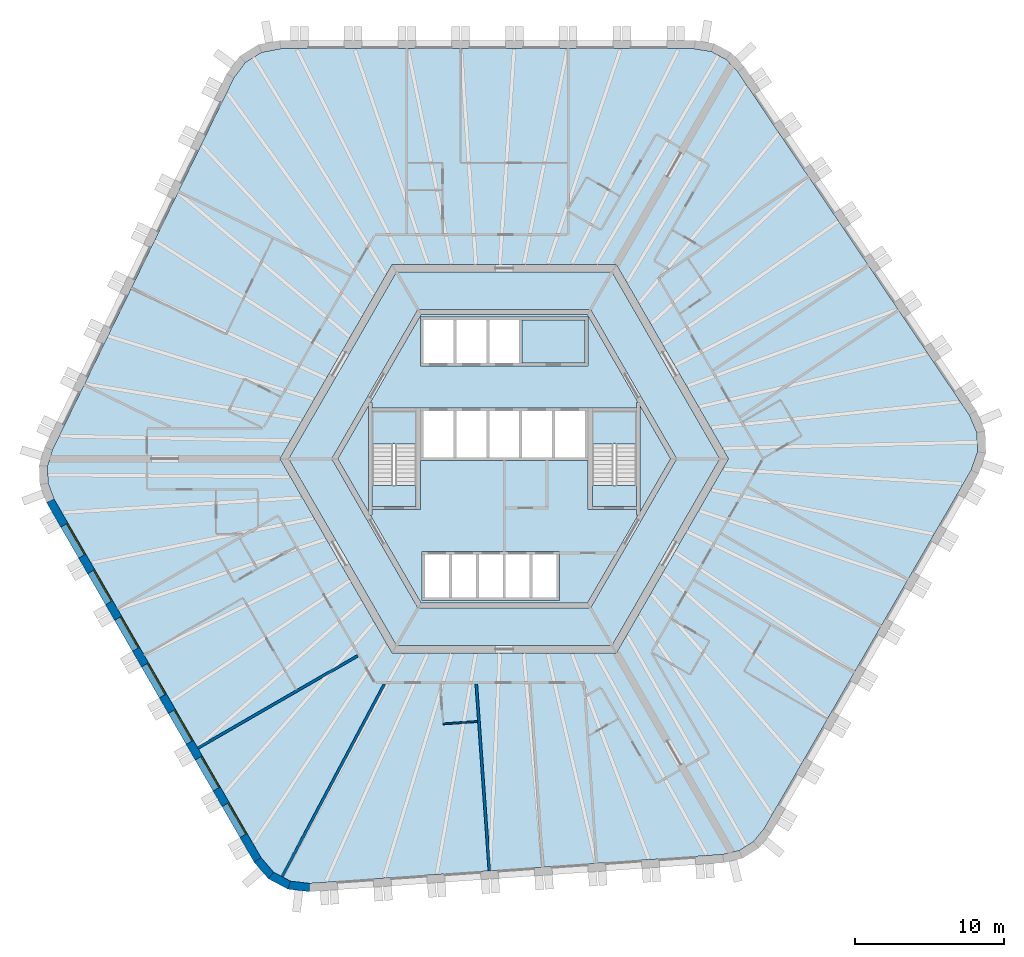
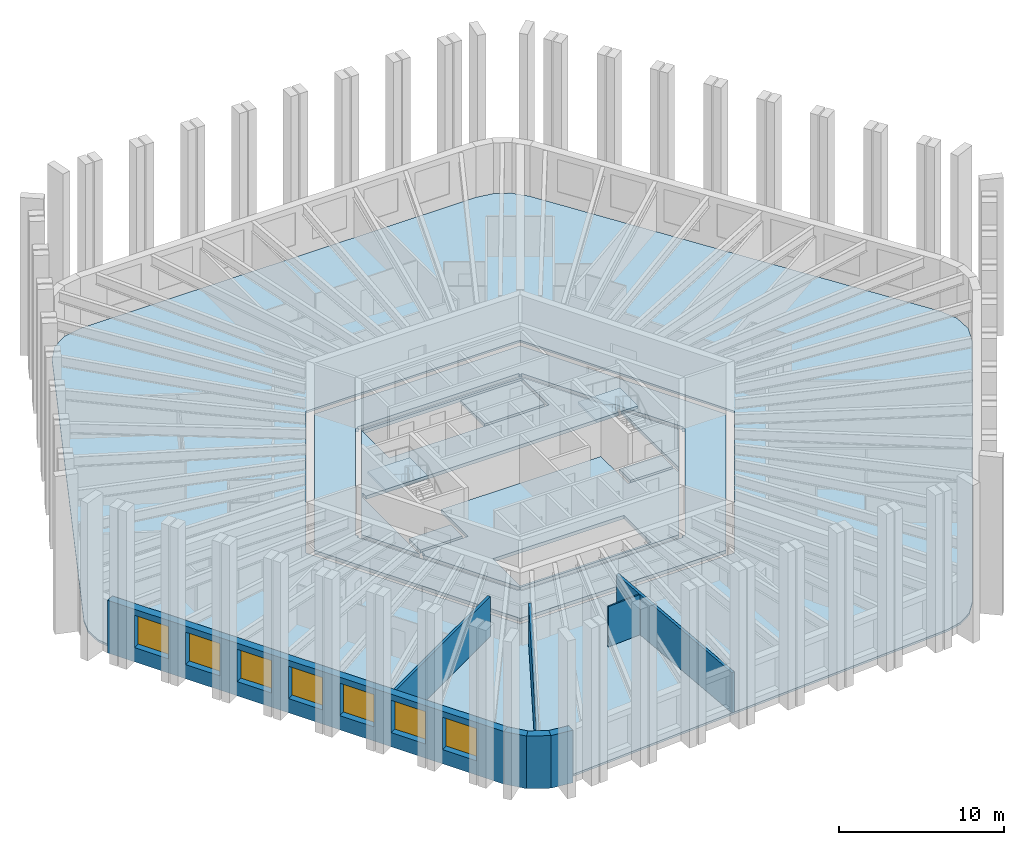
# One storey, part 2 of 10: 11 slabs, 8 walls, 7 windows, 7 openings, 2 elements without a shape of their own.
"""IFC4 building model written with IfcOpenShell, lengths in metres."""

from ifc_helpers import new_model, si_unit, direction, frame, frame_2d, origin, place, context, subcontext, project, spatial, polyline, rectangle, outline, extrude, material, layer, layer_set, type_object, element, fill, aggregate, save


model = new_model("IFC4")

# Units and contexts
model_context = context("Model", 3, precision=1e-05, world=origin(), true_north=direction((0.0, 1.0)))
body_context = subcontext(model_context, "Body", "Model", "MODEL_VIEW")
ifc_project = project(units=[si_unit("LENGTHUNIT", "METRE"), si_unit("AREAUNIT", "SQUARE_METRE"), si_unit("VOLUMEUNIT", "CUBIC_METRE"), si_unit("PLANEANGLEUNIT", "RADIAN"), si_unit("MASSUNIT", "GRAM", prefix="KILO")], contexts=[model_context])

# Site, building, storey
site_placement = place(None, origin())
site = spatial("IfcSite", under=ifc_project, at=site_placement, CompositionType="ELEMENT")
building_placement = place(site_placement, origin())
building = spatial("IfcBuilding", under=site, at=building_placement, Name="Tarnside Tower", CompositionType="ELEMENT")
storey_placement = place(building_placement, frame((0.0, 0.0, 195.60009765625)))
storey = spatial("IfcBuildingStorey", under=building, at=storey_placement, Name="L46", CompositionType="ELEMENT", Elevation=195.60009765625)

# Slabs
ifc_material_1 = material(Name="Concrete C35/45", Category="concrete")
ifc_layer_1 = layer(ifc_material_1, 0.14990234375)
ifc_layer_set_1 = layer_set([ifc_layer_1], Name="Composite floor slab 150")
slab_type_1 = type_object("IfcSlabType", Name="Composite floor slab 150", PredefinedType="FLOOR", material=ifc_layer_set_1)
slab_1_placement = place(storey_placement, frame((0.0, 0.0, -0.150146484375)))
element("IfcSlab", 1, at=slab_1_placement, inside=storey, type_object=slab_type_1, Name="Floor slab L46", PredefinedType="FLOOR", context=body_context, shape_type="SweptSolid", body=[
    extrude(outline(polyline([(13.864013671875, 27.264892578125), (14.85107421875, 26.740234375), (15.6337890625, 25.91064453125), (31.12890625, 2.938232421875), (31.644287109375, 1.7431640625), (31.68896484375, 0.468505859375), (31.258056640625, -0.759521484375), (17.403076171875, -24.7568359375), (16.68017578125, -25.63916015625), (15.732177734375, -26.2314453125), (14.622314453125, -26.494384765625), (-13.02001953125, -28.427490234375), (-14.3125, -28.2763671875), (-15.438720703125, -27.677490234375), (-16.286865234375, -26.6904296875), (-30.1416015625, -2.693115234375), (-30.544189453125, -1.6259765625), (-30.583251953125, -0.5087890625), (-30.256103515625, 0.583984375), (-18.10888671875, 25.4892578125), (-17.331787109375, 26.533203125), (-16.250244140625, 27.208984375), (-14.97119140625, 27.449951171875), (12.738525390625, 27.449951171875), (13.864013671875, 27.264892578125)]), holes=[polyline([(-15.010986328125, 0.0), (-7.505615234375, -13.0), (7.505615234375, -13.0), (15.010986328125, 0.0), (7.505615234375, 13.0), (-7.505615234375, 13.0), (-15.010986328125, 0.0)])]), origin(), (0.0, 0.0, 1.0), 0.150146484375),
])
ifc_material_2 = material(Name="Concrete C40/50", Category="concrete")
ifc_layer_2 = layer(ifc_material_2, 0.25)
ifc_layer_set_2 = layer_set([ifc_layer_2], Name="Core slab C40/50")
slab_type_2 = type_object("IfcSlabType", Name="Core slab C40/50", PredefinedType="FLOOR", material=ifc_layer_set_2)
slab_2_placement = place(storey_placement, frame((0.0, 0.0, -0.25)))
element("IfcSlab", 2, at=slab_2_placement, inside=storey, type_object=slab_type_2, Name="L46 core floor slab 1", PredefinedType="FLOOR", context=body_context, shape_type="SweptSolid", body=[
    extrude(outline(polyline([(-7.216796875, 12.5), (7.216796875, 12.5), (14.433837890625, 0.0), (7.216796875, -12.5), (-7.216796875, -12.5), (-14.433837890625, 0.0), (-7.216796875, 12.5)]), holes=[polyline([(5.823974609375, -9.91259765625), (11.49658203125, -0.08740234375), (11.344970703125, 0.0), (11.49658203125, 0.08740234375), (5.823974609375, 9.91259765625), (5.672607421875, 9.824951171875), (5.672607421875, 10.0), (-5.672607421875, 10.0), (-5.672607421875, 9.824951171875), (-5.823974609375, 9.91259765625), (-11.49658203125, 0.08740234375), (-11.344970703125, 0.0), (-11.49658203125, -0.08740234375), (-5.823974609375, -9.91259765625), (-5.672607421875, -9.824951171875), (-5.672607421875, -10.0), (5.672607421875, -10.0), (5.672607421875, -9.824951171875), (5.823974609375, -9.91259765625)])]), origin(), (0.0, 0.0, 1.0), 0.25),
])
slab_3_placement = place(storey_placement, frame((0.0, 0.0, -0.25)))
element("IfcSlab", 3, at=slab_3_placement, inside=storey, type_object=slab_type_2, Name="L46 core floor slab 2", PredefinedType="FLOOR", context=body_context, shape_type="SweptSolid", body=[
    extrude(outline(polyline([(-8.97509765625, 3.7548828125), (-5.5712890625, 9.64990234375), (5.5712890625, 9.64990234375), (8.97509765625, 3.7548828125), (8.85009765625, 3.7548828125), (8.85009765625, 3.39990234375), (5.89990234375, 3.39990234375), (5.60009765625, 3.39990234375), (5.60009765625, 3.39990234375), (-5.60009765625, 3.39990234375), (-5.89990234375, 3.39990234375), (-8.85009765625, 3.39990234375), (-8.85009765625, 3.7548828125), (-8.97509765625, 3.7548828125)]), holes=[polyline([(-5.60009765625, 6.199951171875), (5.60009765625, 6.199951171875), (5.60009765625, 6.39990234375), (5.60009765625, 9.300048828125), (5.60009765625, 9.5), (-5.60009765625, 9.5), (-5.60009765625, 9.300048828125), (-5.60009765625, 6.39990234375), (-5.60009765625, 6.199951171875)])]), origin(), (0.0, 0.0, 1.0), 0.25),
])
slab_4_placement = place(storey_placement, frame((0.0, 0.0, -0.25)))
element("IfcSlab", 4, at=slab_4_placement, inside=storey, type_object=slab_type_2, Name="L46 core floor slab 3", PredefinedType="FLOOR", context=body_context, shape_type="SweptSolid", body=[
    extrude(outline(polyline([(5.60009765625, -3.39990234375), (5.89990234375, -3.39990234375), (8.85009765625, -3.39990234375), (8.85009765625, -3.7548828125), (8.97509765625, -3.7548828125), (5.5712890625, -9.64990234375), (-5.5712890625, -9.64990234375), (-8.97509765625, -3.7548828125), (-8.85009765625, -3.7548828125), (-8.85009765625, -3.39990234375), (-5.89990234375, -3.39990234375), (-5.60009765625, -3.39990234375), (-5.60009765625, -0.10009765625), (5.60009765625, -0.10009765625), (5.60009765625, -3.39990234375)]), holes=[polyline([(-5.5, -9.300048828125), (-5.5, -9.5), (3.699951171875, -9.5), (3.699951171875, -9.300048828125), (3.699951171875, -6.39990234375), (3.699951171875, -6.199951171875), (-5.5, -6.199951171875), (-5.5, -6.39990234375), (-5.5, -9.300048828125)])]), origin(), (0.0, 0.0, 1.0), 0.25),
])
slab_5_placement = place(storey_placement, frame((0.0, 0.0, -0.25)))
element("IfcSlab", 5, at=slab_5_placement, inside=storey, type_object=slab_type_2, Name="L46 core floor slab 4", PredefinedType="FLOOR", context=body_context, shape_type="SweptSolid", body=[
    extrude(outline(polyline([(-11.142822265625, 0.0), (-9.10009765625, 3.538330078125), (-9.10009765625, -3.538330078125), (-11.142822265625, 0.0)])), origin(), (0.0, 0.0, 1.0), 0.25),
])
slab_6_placement = place(storey_placement, frame((0.0, 0.0, -0.25)))
element("IfcSlab", 6, at=slab_6_placement, inside=storey, type_object=slab_type_2, Name="L46 core floor slab 5", PredefinedType="FLOOR", context=body_context, shape_type="SweptSolid", body=[
    extrude(outline(polyline([(-8.85009765625, -1.800048828125), (-5.89990234375, -1.800048828125), (-5.89990234375, -3.199951171875), (-8.85009765625, -3.199951171875), (-8.85009765625, -1.800048828125)])), origin(), (0.0, 0.0, 1.0), 0.25),
])
slab_7_placement = place(storey_placement, frame((0.0, 0.0, -0.25)))
element("IfcSlab", 7, at=slab_7_placement, inside=storey, type_object=slab_type_2, Name="L46 core floor slab 6", PredefinedType="FLOOR", context=body_context, shape_type="SweptSolid", body=[
    extrude(outline(polyline([(5.89990234375, -3.199951171875), (5.89990234375, -1.800048828125), (8.85009765625, -1.800048828125), (8.85009765625, -3.199951171875), (5.89990234375, -3.199951171875)])), origin(), (0.0, 0.0, 1.0), 0.25),
])
slab_8_placement = place(storey_placement, frame((0.0, 0.0, -0.25)))
element("IfcSlab", 8, at=slab_8_placement, inside=storey, type_object=slab_type_2, Name="L46 core floor slab 7", PredefinedType="FLOOR", context=body_context, shape_type="SweptSolid", body=[
    extrude(outline(polyline([(9.10009765625, -3.538330078125), (9.10009765625, 3.538330078125), (11.142822265625, 0.0), (9.10009765625, -3.538330078125)])), origin(), (0.0, 0.0, 1.0), 0.25),
])
slab_9_placement = place(storey_placement, frame((0.0, 0.0, -0.25)))
element("IfcSlab", 9, at=slab_9_placement, inside=storey, type_object=slab_type_2, Name="L46 core floor slab 8", PredefinedType="FLOOR", context=body_context, shape_type="SweptSolid", body=[
    extrude(outline(polyline([(5.39990234375, 9.300048828125), (5.39990234375, 6.39990234375), (1.199951171875, 6.39990234375), (1.199951171875, 9.300048828125), (5.39990234375, 9.300048828125)])), origin(), (0.0, 0.0, 1.0), 0.25),
])

# Stair, slab
stair_type = type_object("IfcStairType", Name="Exit stair 1400 clear", PredefinedType="HALF_TURN_STAIR", material=ifc_material_2)
stair_1_placement = place(storey_placement, origin())
stair_1 = element("IfcStair", 10, at=stair_1_placement, inside=storey, type_object=stair_type, Name="L46 Exit stair 1", PredefinedType="HALF_TURN_STAIR")
ifc_layer_3 = layer(ifc_material_2, 0.199951171875)
ifc_layer_set_3 = layer_set([ifc_layer_3], Name="Stair landing 200 C40/50")
slab_type_3 = type_object("IfcSlabType", Name="Stair landing 200 C40/50", PredefinedType="LANDING", material=ifc_layer_set_3)
slab_10_placement = place(storey_placement, frame((0.0, 0.0, 1.75)))
slab_10 = element("IfcSlab", 11, at=slab_10_placement, type_object=slab_type_3, Name="ST1 landing 1", PredefinedType="LANDING", context=body_context, shape_type="SweptSolid", body=[
    extrude(outline(polyline([(8.85009765625, 1.0), (8.85009765625, 3.199951171875), (5.89990234375, 3.199951171875), (5.89990234375, 1.0), (8.85009765625, 1.0)])), origin(), (0.0, 0.0, 1.0), 0.199951171875),
])
aggregate(stair_1, [slab_10])

stair_2_placement = place(storey_placement, origin())
stair_2 = element("IfcStair", 12, at=stair_2_placement, inside=storey, type_object=stair_type, Name="L46 Exit stair 2", PredefinedType="HALF_TURN_STAIR")
slab_11_placement = place(storey_placement, frame((0.0, 0.0, 1.75)))
slab_11 = element("IfcSlab", 13, at=slab_11_placement, type_object=slab_type_3, Name="ST2 landing 1", PredefinedType="LANDING", context=body_context, shape_type="SweptSolid", body=[
    extrude(outline(polyline([(-5.89990234375, 1.0), (-5.89990234375, 3.199951171875), (-8.85009765625, 3.199951171875), (-8.85009765625, 1.0), (-5.89990234375, 1.0)])), origin(), (0.0, 0.0, 1.0), 0.199951171875),
])
aggregate(stair_2, [slab_11])

# Walls
ifc_material_3 = material(Name="Gypsum board partition on steel studs", Category="steel")
ifc_layer_4 = layer(ifc_material_3, 0.10009765625)
ifc_layer_set_4 = layer_set([ifc_layer_4], Name="Bathroom wall 100")
wall_type_1 = type_object("IfcWallType", Name="Bathroom wall 100", PredefinedType="PARTITIONING", material=ifc_layer_set_4)
wall_1_placement = place(storey_placement, frame((-1.785400390625, -17.587158203125, 0.0), z_axis=(0.0, 0.0, 1.0), x_axis=(-0.997564338377, -0.069752353356, 0.0)))
element("IfcWall", 14, at=wall_1_placement, inside=storey, type_object=wall_type_1, Name="Bathroom wall 15086", PredefinedType="PARTITIONING", context=body_context, shape_type="SweptSolid", body=[
    extrude(rectangle(XDim=2.31005859375, YDim=0.10009765625, at=frame_2d((1.155029296875, 0.0))), origin(), (0.0, 0.0, 1.0), 2.98779296875),
])
ifc_layer_5 = layer(ifc_material_3, 0.179931640625)
ifc_layer_set_5 = layer_set([ifc_layer_5], Name="Demising wall 180 EI 60")
wall_type_2 = type_object("IfcWallType", Name="Demising wall 180 EI 60", PredefinedType="PARTITIONING", material=ifc_layer_set_5)
wall_2_placement = place(storey_placement, frame((-20.513427734375, -19.36962890625, 0.0), z_axis=(0.0, 0.0, 1.0), x_axis=(0.866024931941, 0.500000817256, 0.0)))
element("IfcWall", 15, at=wall_2_placement, inside=storey, type_object=wall_type_2, Name="Demising wall 15082", PredefinedType="PARTITIONING", context=body_context, shape_type="SweptSolid", body=[
    extrude(rectangle(XDim=12.375, YDim=0.179931640625, at=frame_2d((6.1875, 0.0))), origin(), (0.0, 0.0, 1.0), 2.98779296875),
])
wall_3_placement = place(storey_placement, frame((-14.875732421875, -27.97705078125, 0.0), z_axis=(0.0, 0.0, 1.0), x_axis=(0.469468328163, 0.882949312731, 0.0)))
element("IfcWall", 16, at=wall_3_placement, inside=storey, type_object=wall_type_2, Name="Demising wall 15085", PredefinedType="PARTITIONING", context=body_context, shape_type="SweptSolid", body=[
    extrude(rectangle(XDim=14.612548828125, YDim=0.179931640625, at=frame_2d((7.30615234375, 0.0))), origin(), (0.0, 0.0, 1.0), 2.98779296875),
])
wall_4_placement = place(storey_placement, frame((-0.99609375, -27.586669921875, 0.0), z_axis=(0.0, 0.0, 1.0), x_axis=(-0.069744671963, 0.997564875451, 0.0)))
element("IfcWall", 17, at=wall_4_placement, inside=storey, type_object=wall_type_2, Name="Demising wall 15088", PredefinedType="PARTITIONING", context=body_context, shape_type="SweptSolid", body=[
    extrude(rectangle(XDim=12.542236328125, YDim=0.179931640625, at=frame_2d((6.27099609375, 0.0))), origin(), (0.0, 0.0, 1.0), 2.98779296875),
])

# Wall, openings, windows
ifc_material_4 = material(Name="Facing brick", Category="masonry")
ifc_layer_6 = layer(ifc_material_4, 0.10205078125)
ifc_material_5 = material(Name="Concrete C60/75 precast", Category="concrete")
ifc_layer_7 = layer(ifc_material_5, 0.347900390625)
ifc_material_6 = material(Name="Mineral wool insulation")
ifc_layer_8 = layer(ifc_material_6, 0.10009765625)
ifc_layer_set_6 = layer_set([ifc_layer_6, ifc_layer_7, ifc_layer_8], Name="Tube wall 550 brick faced")
wall_type_3 = type_object("IfcWallType", Name="Tube wall 550 brick faced", PredefinedType="SOLIDWALL", material=ifc_layer_set_6)
wall_5_placement = place(storey_placement, frame((-30.39111328125, -2.81103515625, -0.150146484375), z_axis=(0.0, 0.0, 1.0), x_axis=(0.499998569178, -0.866026229868, 0.0)))
wall_5 = element("IfcWall", 18, at=wall_5_placement, inside=storey, type_object=wall_type_3, Name="Tube wall L46 F3 flush 08", PredefinedType="SOLIDWALL", context=body_context, shape_type="SweptSolid", body=[
    extrude(outline(polyline([(-0.0224609375, -0.27490234375), (27.783447265625, -0.27490234375), (27.732177734375, 0.27490234375), (0.0224609375, 0.27490234375), (-0.0224609375, -0.27490234375)])), origin(), (0.0, 0.0, 1.0), 3.900146484375),
])
opening_1_placement = place(wall_5_placement, frame((1.87890625, 0.0, 1.050048828125)))
opening_1 = element("IfcOpeningElement", 19, at=opening_1_placement, cuts=wall_5, Name="Opening WH", PredefinedType="OPENING", context=body_context, shape_type="SweptSolid", body=[
    extrude(rectangle(XDim=2.39990234375, YDim=2.39990234375, at=frame_2d((1.199951171875, 1.199951171875))), frame((0.0, 0.28515625, 0.0), z_axis=(0.0, -1.0, 0.0), x_axis=(1.0, 0.0, 0.0)), (0.0, 0.0, 1.0), 0.570068359375),
])
opening_2_placement = place(wall_5_placement, frame((5.47900390625, 0.0, 1.050048828125)))
opening_2 = element("IfcOpeningElement", 20, at=opening_2_placement, cuts=wall_5, Name="Opening WH", PredefinedType="OPENING", context=body_context, shape_type="SweptSolid", body=[
    extrude(rectangle(XDim=2.39990234375, YDim=2.39990234375, at=frame_2d((1.199951171875, 1.199951171875))), frame((0.0, 0.28515625, 0.0), z_axis=(0.0, -1.0, 0.0), x_axis=(1.0, 0.0, 0.0)), (0.0, 0.0, 1.0), 0.570068359375),
])
opening_3_placement = place(wall_5_placement, frame((9.078857421875, 0.0, 1.050048828125)))
opening_3 = element("IfcOpeningElement", 21, at=opening_3_placement, cuts=wall_5, Name="Opening WH", PredefinedType="OPENING", context=body_context, shape_type="SweptSolid", body=[
    extrude(rectangle(XDim=2.39990234375, YDim=2.39990234375, at=frame_2d((1.199951171875, 1.199951171875))), frame((0.0, 0.28515625, 0.0), z_axis=(0.0, -1.0, 0.0), x_axis=(1.0, 0.0, 0.0)), (0.0, 0.0, 1.0), 0.570068359375),
])
opening_4_placement = place(wall_5_placement, frame((12.678955078125, 0.0, 1.050048828125)))
opening_4 = element("IfcOpeningElement", 22, at=opening_4_placement, cuts=wall_5, Name="Opening WH", PredefinedType="OPENING", context=body_context, shape_type="SweptSolid", body=[
    extrude(rectangle(XDim=2.39990234375, YDim=2.39990234375, at=frame_2d((1.199951171875, 1.199951171875))), frame((0.0, 0.28515625, 0.0), z_axis=(0.0, -1.0, 0.0), x_axis=(1.0, 0.0, 0.0)), (0.0, 0.0, 1.0), 0.570068359375),
])
opening_5_placement = place(wall_5_placement, frame((16.27880859375, 0.0, 1.050048828125)))
opening_5 = element("IfcOpeningElement", 23, at=opening_5_placement, cuts=wall_5, Name="Opening WH", PredefinedType="OPENING", context=body_context, shape_type="SweptSolid", body=[
    extrude(rectangle(XDim=2.39990234375, YDim=2.39990234375, at=frame_2d((1.199951171875, 1.199951171875))), frame((0.0, 0.28515625, 0.0), z_axis=(0.0, -1.0, 0.0), x_axis=(1.0, 0.0, 0.0)), (0.0, 0.0, 1.0), 0.570068359375),
])
opening_6_placement = place(wall_5_placement, frame((19.87890625, 0.0, 1.050048828125)))
opening_6 = element("IfcOpeningElement", 24, at=opening_6_placement, cuts=wall_5, Name="Opening WH", PredefinedType="OPENING", context=body_context, shape_type="SweptSolid", body=[
    extrude(rectangle(XDim=2.39990234375, YDim=2.39990234375, at=frame_2d((1.199951171875, 1.199951171875))), frame((0.0, 0.28515625, 0.0), z_axis=(0.0, -1.0, 0.0), x_axis=(1.0, 0.0, 0.0)), (0.0, 0.0, 1.0), 0.570068359375),
])
opening_7_placement = place(wall_5_placement, frame((23.47900390625, 0.0, 1.050048828125)))
opening_7 = element("IfcOpeningElement", 25, at=opening_7_placement, cuts=wall_5, Name="Opening WH", PredefinedType="OPENING", context=body_context, shape_type="SweptSolid", body=[
    extrude(rectangle(XDim=2.39990234375, YDim=2.39990234375, at=frame_2d((1.199951171875, 1.199951171875))), frame((0.0, 0.28515625, 0.0), z_axis=(0.0, -1.0, 0.0), x_axis=(1.0, 0.0, 0.0)), (0.0, 0.0, 1.0), 0.570068359375),
])
ifc_material_7 = material(Name="Aluminium-framed double glazing", Category="aluminium")
window_type = type_object("IfcWindowType", Name="Hotel window 2400 x 2400", PartitioningType="DOUBLE_PANEL_VERTICAL", PredefinedType="WINDOW", material=ifc_material_7)
window_1_placement = place(opening_1_placement, frame((0.0, 0.205078125, 0.0)))
window_1 = element("IfcWindow", 26, at=window_1_placement, inside=storey, type_object=window_type, Name="E.WN.L46.F3.00", OverallHeight=2.39990234375, OverallWidth=2.39990234375, PartitioningType="DOUBLE_PANEL_VERTICAL", PredefinedType="WINDOW", context=body_context, shape_type="SweptSolid", body=[
    extrude(rectangle(XDim=2.39990234375, YDim=2.39990234375, at=frame_2d((1.199951171875, 1.199951171875))), frame((0.0, 0.030029296875, 0.0), z_axis=(0.0, -1.0, 0.0), x_axis=(1.0, 0.0, 0.0)), (0.0, 0.0, 1.0), 0.06005859375),
])
fill(opening_1, window_1)
window_2_placement = place(opening_2_placement, frame((0.0, 0.205078125, 0.0)))
window_2 = element("IfcWindow", 27, at=window_2_placement, inside=storey, type_object=window_type, Name="E.WN.L46.F3.01", OverallHeight=2.39990234375, OverallWidth=2.39990234375, PartitioningType="DOUBLE_PANEL_VERTICAL", PredefinedType="WINDOW", context=body_context, shape_type="SweptSolid", body=[
    extrude(rectangle(XDim=2.39990234375, YDim=2.39990234375, at=frame_2d((1.199951171875, 1.199951171875))), frame((0.0, 0.030029296875, 0.0), z_axis=(0.0, -1.0, 0.0), x_axis=(1.0, 0.0, 0.0)), (0.0, 0.0, 1.0), 0.06005859375),
])
fill(opening_2, window_2)
window_3_placement = place(opening_3_placement, frame((0.0, 0.205078125, 0.0)))
window_3 = element("IfcWindow", 28, at=window_3_placement, inside=storey, type_object=window_type, Name="E.WN.L46.F3.02", OverallHeight=2.39990234375, OverallWidth=2.39990234375, PartitioningType="DOUBLE_PANEL_VERTICAL", PredefinedType="WINDOW", context=body_context, shape_type="SweptSolid", body=[
    extrude(rectangle(XDim=2.39990234375, YDim=2.39990234375, at=frame_2d((1.199951171875, 1.199951171875))), frame((0.0, 0.030029296875, 0.0), z_axis=(0.0, -1.0, 0.0), x_axis=(1.0, 0.0, 0.0)), (0.0, 0.0, 1.0), 0.06005859375),
])
fill(opening_3, window_3)
window_4_placement = place(opening_4_placement, frame((0.0, 0.205078125, 0.0)))
window_4 = element("IfcWindow", 29, at=window_4_placement, inside=storey, type_object=window_type, Name="E.WN.L46.F3.03", OverallHeight=2.39990234375, OverallWidth=2.39990234375, PartitioningType="DOUBLE_PANEL_VERTICAL", PredefinedType="WINDOW", context=body_context, shape_type="SweptSolid", body=[
    extrude(rectangle(XDim=2.39990234375, YDim=2.39990234375, at=frame_2d((1.199951171875, 1.199951171875))), frame((0.0, 0.030029296875, 0.0), z_axis=(0.0, -1.0, 0.0), x_axis=(1.0, 0.0, 0.0)), (0.0, 0.0, 1.0), 0.06005859375),
])
fill(opening_4, window_4)
window_5_placement = place(opening_5_placement, frame((0.0, 0.205078125, 0.0)))
window_5 = element("IfcWindow", 30, at=window_5_placement, inside=storey, type_object=window_type, Name="E.WN.L46.F3.04", OverallHeight=2.39990234375, OverallWidth=2.39990234375, PartitioningType="DOUBLE_PANEL_VERTICAL", PredefinedType="WINDOW", context=body_context, shape_type="SweptSolid", body=[
    extrude(rectangle(XDim=2.39990234375, YDim=2.39990234375, at=frame_2d((1.199951171875, 1.199951171875))), frame((0.0, 0.030029296875, 0.0), z_axis=(0.0, -1.0, 0.0), x_axis=(1.0, 0.0, 0.0)), (0.0, 0.0, 1.0), 0.06005859375),
])
fill(opening_5, window_5)
window_6_placement = place(opening_6_placement, frame((0.0, 0.205078125, 0.0)))
window_6 = element("IfcWindow", 31, at=window_6_placement, inside=storey, type_object=window_type, Name="E.WN.L46.F3.05", OverallHeight=2.39990234375, OverallWidth=2.39990234375, PartitioningType="DOUBLE_PANEL_VERTICAL", PredefinedType="WINDOW", context=body_context, shape_type="SweptSolid", body=[
    extrude(rectangle(XDim=2.39990234375, YDim=2.39990234375, at=frame_2d((1.199951171875, 1.199951171875))), frame((0.0, 0.030029296875, 0.0), z_axis=(0.0, -1.0, 0.0), x_axis=(1.0, 0.0, 0.0)), (0.0, 0.0, 1.0), 0.06005859375),
])
fill(opening_6, window_6)
window_7_placement = place(opening_7_placement, frame((0.0, 0.205078125, 0.0)))
window_7 = element("IfcWindow", 32, at=window_7_placement, inside=storey, type_object=window_type, Name="E.WN.L46.F3.06", OverallHeight=2.39990234375, OverallWidth=2.39990234375, PartitioningType="DOUBLE_PANEL_VERTICAL", PredefinedType="WINDOW", context=body_context, shape_type="SweptSolid", body=[
    extrude(rectangle(XDim=2.39990234375, YDim=2.39990234375, at=frame_2d((1.199951171875, 1.199951171875))), frame((0.0, 0.030029296875, 0.0), z_axis=(0.0, -1.0, 0.0), x_axis=(1.0, 0.0, 0.0)), (0.0, 0.0, 1.0), 0.06005859375),
])
fill(opening_7, window_7)

# Walls
wall_6_placement = place(storey_placement, frame((-16.51220703125, -26.85009765625, -0.150146484375), z_axis=(0.0, 0.0, 1.0), x_axis=(0.651621950847, -0.758543890078, 0.0)))
element("IfcWall", 33, at=wall_6_placement, inside=storey, type_object=wall_type_3, Name="Tube wall L46 F3 chord 09", PredefinedType="SOLIDWALL", context=body_context, shape_type="SweptSolid", body=[
    extrude(outline(polyline([(-0.025634765625, -0.27490234375), (1.430908203125, -0.27490234375), (1.327392578125, 0.27490234375), (0.025634765625, 0.27490234375), (-0.025634765625, -0.27490234375)])), origin(), (0.0, 0.0, 1.0), 3.900146484375),
])
wall_7_placement = place(storey_placement, frame((-15.613525390625, -27.896240234375, -0.150146484375), z_axis=(0.0, 0.0, 1.0), x_axis=(0.882994189209, -0.469383917304, 0.0)))
element("IfcWall", 34, at=wall_7_placement, inside=storey, type_object=wall_type_3, Name="Tube wall L46 F3 chord 10", PredefinedType="SOLIDWALL", context=body_context, shape_type="SweptSolid", body=[
    extrude(outline(polyline([(-0.0517578125, -0.27490234375), (1.4306640625, -0.27490234375), (1.3271484375, 0.27490234375), (0.0517578125, 0.27490234375), (-0.0517578125, -0.27490234375)])), origin(), (0.0, 0.0, 1.0), 3.900146484375),
])
wall_8_placement = place(storey_placement, frame((-14.39599609375, -28.54345703125, -0.150146484375), z_axis=(0.0, 0.0, 1.0), x_axis=(0.993232537394, -0.11614269956, 0.0)))
element("IfcWall", 35, at=wall_8_placement, inside=storey, type_object=wall_type_3, Name="Tube wall L46 F3 chord 11", PredefinedType="SOLIDWALL", context=body_context, shape_type="SweptSolid", body=[
    extrude(outline(polyline([(-0.0517578125, -0.27490234375), (1.404541015625, -0.27490234375), (1.353271484375, 0.27490234375), (0.0517578125, 0.27490234375), (-0.0517578125, -0.27490234375)])), origin(), (0.0, 0.0, 1.0), 3.900146484375),
])

save(model, "model.ifc")
